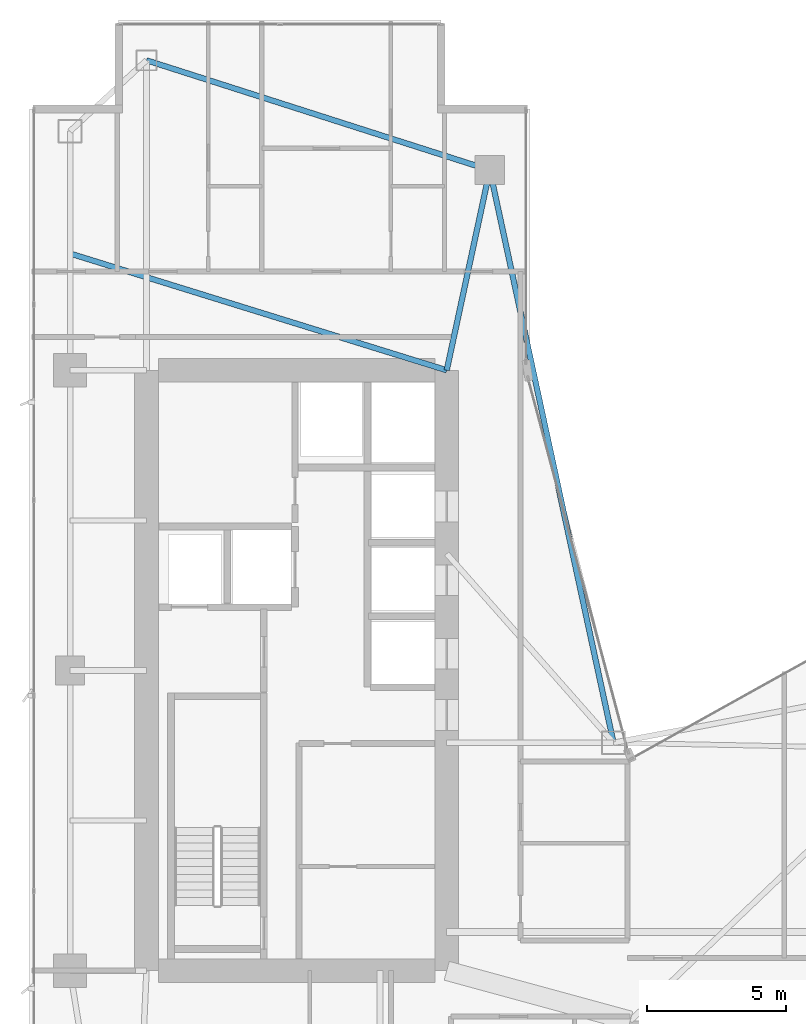
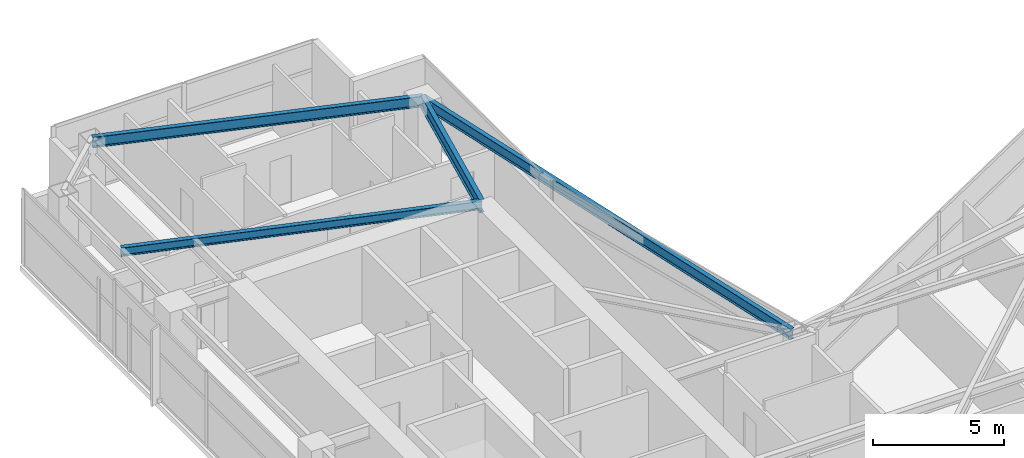
# One storey, part 17 of 29: 4 beams.
"""IFC4 building model written with IfcOpenShell, lengths in metres."""

from ifc_helpers import new_model, si_unit, direction, frame, origin, origin_2d, place, context, subcontext, project, spatial, i_section, extrude, material, material_profile, profile_set, type_object, element, save


model = new_model("IFC4")

# Units and contexts
model_context = context("Model", 3, precision=1e-05, world=origin(), true_north=direction((0.0, 1.0)))
body_context = subcontext(model_context, "Body", "Model", "MODEL_VIEW")
ifc_project = project(units=[si_unit("LENGTHUNIT", "METRE"), si_unit("AREAUNIT", "SQUARE_METRE"), si_unit("VOLUMEUNIT", "CUBIC_METRE"), si_unit("PLANEANGLEUNIT", "RADIAN"), si_unit("MASSUNIT", "GRAM", prefix="KILO")], contexts=[model_context])

# Site, building, storey
site_placement = place(None, origin())
site = spatial("IfcSite", under=ifc_project, at=site_placement, CompositionType="ELEMENT")
building_placement = place(site_placement, origin())
building = spatial("IfcBuilding", under=site, at=building_placement, Name="Calvorn Quay Hotel", CompositionType="ELEMENT")
storey_placement = place(building_placement, frame((0.0, 0.0, 148.5)))
storey = spatial("IfcBuildingStorey", under=building, at=storey_placement, Name="L36", CompositionType="ELEMENT", Elevation=148.5)

# Beams
ifc_material_1 = material(Name="Steel Q355B", Category="steel")
ifc_material_profile_1 = material_profile(ifc_material_1, i_section(OverallWidth=0.199951171875, OverallDepth=0.60009765625, WebThickness=0.010986328125, FlangeThickness=0.01708984375, FilletRadius=0.01806640625, at=origin_2d()), Name="HN600x200x11x17")
ifc_profile_set_1 = profile_set([ifc_material_profile_1], Name="Steel Q355B")
beam_type_1 = type_object("IfcBeamType", Name="BM-GIRD-TYP", PredefinedType="BEAM", material=ifc_profile_set_1)
beam_1_placement = place(storey_placement, frame((16.550048828125, 45.60009765625, 3.239990234375), z_axis=(-0.210457140491, -0.97760308511, 0.0), x_axis=(0.97760308511, -0.210457140491, 0.0)))
element("IfcBeam", 1, at=beam_1_placement, inside=storey, type_object=beam_type_1, Name="Beam BG-L36-W6", PredefinedType="BEAM", context=body_context, shape_type="SweptSolid", body=[
    extrude(i_section(OverallWidth=0.199951171875, OverallDepth=0.60009765625, WebThickness=0.010986328125, FlangeThickness=0.01708984375, FilletRadius=0.01806640625, at=origin_2d()), origin(), (0.0, 0.0, 1.0), 7.365234375),
])
ifc_material_2 = material(Name="Steel Q355B", Category="steel")
ifc_material_profile_2 = material_profile(ifc_material_2, i_section(OverallWidth=0.199951171875, OverallDepth=0.39990234375, WebThickness=0.008056640625, FlangeThickness=0.012939453125, FilletRadius=0.01611328125, at=origin_2d()), Name="HN400x200x8x13")
ifc_profile_set_2 = profile_set([ifc_material_profile_2], Name="Steel Q355B")
beam_type_2 = type_object("IfcBeamType", Name="BM-JOIST-TYP", PredefinedType="JOIST", material=ifc_profile_set_2)
beam_2_placement = place(storey_placement, frame((1.449951171875, 42.60009765625, 3.340087890625), z_axis=(0.955163702122, -0.296078202759, 0.0), x_axis=(0.296078202759, 0.955163702122, 0.0)))
element("IfcBeam", 2, at=beam_2_placement, inside=storey, type_object=beam_type_2, Name="Beam BJ-L36-W2", PredefinedType="JOIST", context=body_context, shape_type="SweptSolid", body=[
    extrude(i_section(OverallWidth=0.199951171875, OverallDepth=0.39990234375, WebThickness=0.008056640625, FlangeThickness=0.012939453125, FilletRadius=0.01611328125, at=origin_2d()), origin(), (0.0, 0.0, 1.0), 14.18603515625),
])
ifc_material_3 = material(Name="Steel Q355B", Category="steel")
ifc_material_profile_3 = material_profile(ifc_material_3, i_section(OverallWidth=0.199951171875, OverallDepth=0.5, WebThickness=0.010009765625, FlangeThickness=0.01611328125, FilletRadius=0.01611328125, at=origin_2d()), Name="HN500x200x10x16")
ifc_profile_set_3 = profile_set([ifc_material_profile_3], Name="Steel Q355B")
beam_type_3 = type_object("IfcBeamType", Name="BM-SPANDREL-Z1", PredefinedType="SPANDREL", material=ifc_profile_set_3)
beam_3_placement = place(storey_placement, frame((4.199951171875, 49.550048828125, 3.2900390625), z_axis=(0.952470702374, -0.304630203885, 0.0), x_axis=(0.304630203885, 0.952470702374, 0.0)))
element("IfcBeam", 3, at=beam_3_placement, inside=storey, type_object=beam_type_3, Name="Beam BSP-L36-W6", PredefinedType="SPANDREL", context=body_context, shape_type="SweptSolid", body=[
    extrude(i_section(OverallWidth=0.199951171875, OverallDepth=0.5, WebThickness=0.010009765625, FlangeThickness=0.01611328125, FilletRadius=0.01611328125, at=origin_2d()), origin(), (0.0, 0.0, 1.0), 12.96630859375),
])
beam_4_placement = place(storey_placement, frame((16.550048828125, 45.60009765625, 3.2900390625), z_axis=(0.211145848376, -0.977454567084, 0.0), x_axis=(0.977454567084, 0.211145848376, 0.0)))
element("IfcBeam", 4, at=beam_4_placement, inside=storey, type_object=beam_type_3, Name="Beam BSP-L36-W7", PredefinedType="SPANDREL", context=body_context, shape_type="SweptSolid", body=[
    extrude(i_section(OverallWidth=0.199951171875, OverallDepth=0.5, WebThickness=0.010009765625, FlangeThickness=0.01611328125, FilletRadius=0.01611328125, at=origin_2d()), origin(), (0.0, 0.0, 1.0), 21.0751953125),
])

save(model, "model.ifc")
